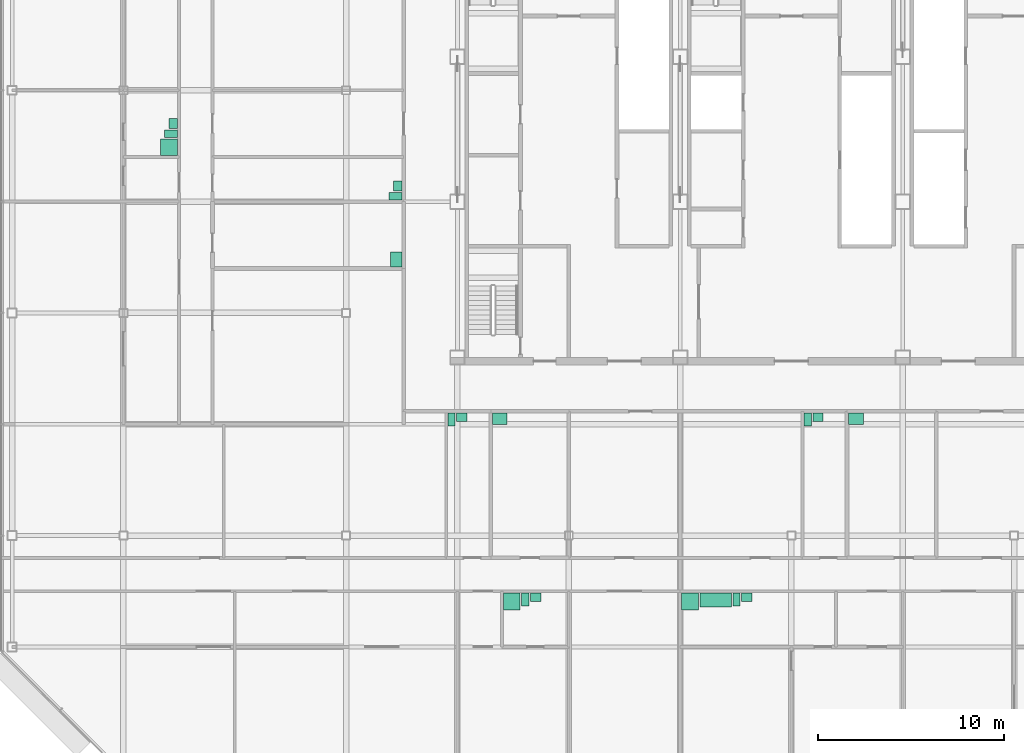
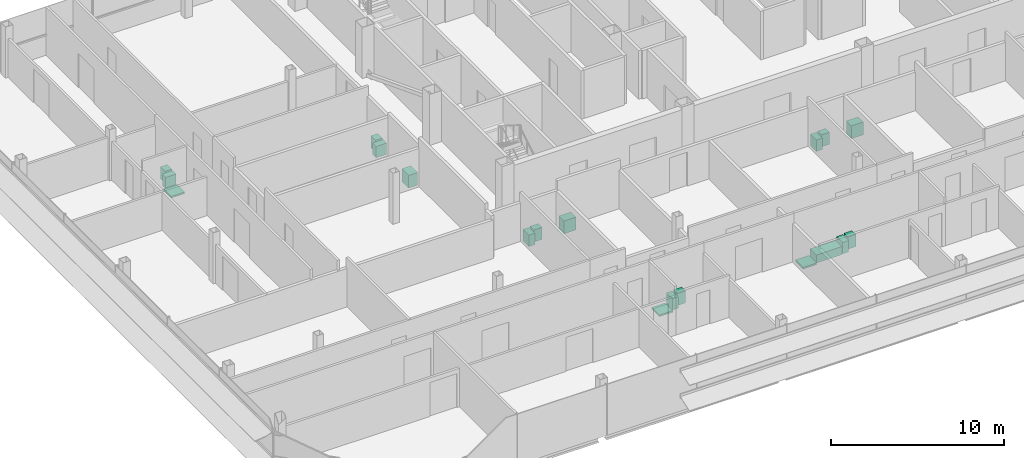
# One storey, part 27 of 27: 19 sanitary terminals.
"""IFC4 building model written with IfcOpenShell, lengths in metres."""

from ifc_helpers import new_model, si_unit, direction, frame, origin, origin_2d, place, context, subcontext, project, spatial, rectangle, extrude, element, save


model = new_model("IFC4")

# Units and contexts
model_context = context("Model", 3, precision=1e-05, world=origin(), true_north=direction((0.0, 1.0)))
body_context = subcontext(model_context, "Body", "Model", "MODEL_VIEW")
ifc_project = project(units=[si_unit("LENGTHUNIT", "METRE"), si_unit("AREAUNIT", "SQUARE_METRE"), si_unit("VOLUMEUNIT", "CUBIC_METRE"), si_unit("PLANEANGLEUNIT", "RADIAN"), si_unit("MASSUNIT", "GRAM", prefix="KILO")], contexts=[model_context])

# Site, building, storey
site_placement = place(None, origin())
site = spatial("IfcSite", under=ifc_project, at=site_placement, CompositionType="ELEMENT")
building_placement = place(site_placement, origin())
building = spatial("IfcBuilding", under=site, at=building_placement, Name="Sorahane Residences", CompositionType="ELEMENT")
storey_placement = place(building_placement, frame((0.0, 0.0, 323.199951171875)))
storey = spatial("IfcBuildingStorey", under=building, at=storey_placement, Name="L77", CompositionType="ELEMENT", Elevation=323.199951171875)

# Sanitary terminals
sanitary_terminal_1_placement = place(storey_placement, frame((8.929931640625, 8.449951171875, 0.0), z_axis=(0.0, 0.0, 1.0), x_axis=(1.0, 0.0, 0.0)))
element("IfcSanitaryTerminal", 1, at=sanitary_terminal_1_placement, inside=storey, Name="Shower tray En-suite bathroom 77A", PredefinedType="SHOWER", context=body_context, shape_type="SweptSolid", body=[
    extrude(rectangle(XDim=0.89990234375, YDim=0.89990234375, at=origin_2d()), origin(), (0.0, 0.0, 1.0), 0.1201171875),
])
sanitary_terminal_2_placement = place(storey_placement, frame((9.659912109375, 8.550048828125, 0.0), z_axis=(0.0, 0.0, 1.0), x_axis=(1.0, 0.0, 0.0)))
element("IfcSanitaryTerminal", 2, at=sanitary_terminal_2_placement, inside=storey, Name="WC pan En-suite bathroom 77A", PredefinedType="TOILETPAN", context=body_context, shape_type="SweptSolid", body=[
    extrude(rectangle(XDim=0.39990234375, YDim=0.699951171875, at=origin_2d()), origin(), (0.0, 0.0, 1.0), 0.800048828125),
])
sanitary_terminal_3_placement = place(storey_placement, frame((10.215087890625, 8.675048828125, 0.0), z_axis=(0.0, 0.0, 1.0), x_axis=(1.0, 0.0, 0.0)))
element("IfcSanitaryTerminal", 3, at=sanitary_terminal_3_placement, inside=storey, Name="Wash basin En-suite bathroom 77A", PredefinedType="WASHHANDBASIN", context=body_context, shape_type="SweptSolid", body=[
    extrude(rectangle(XDim=0.550048828125, YDim=0.449951171875, at=origin_2d()), origin(), (0.0, 0.0, 1.0), 0.85009765625),
])
sanitary_terminal_4_placement = place(storey_placement, frame((5.679931640625, 18.25, 0.0), z_axis=(0.0, 0.0, 1.0), x_axis=(1.0, 0.0, 0.0)))
element("IfcSanitaryTerminal", 4, at=sanitary_terminal_4_placement, inside=storey, Name="WC pan Powder room 77A", PredefinedType="TOILETPAN", context=body_context, shape_type="SweptSolid", body=[
    extrude(rectangle(XDim=0.39990234375, YDim=0.699951171875, at=origin_2d()), origin(), (0.0, 0.0, 1.0), 0.800048828125),
])
sanitary_terminal_5_placement = place(storey_placement, frame((6.235107421875, 18.375, 0.0), z_axis=(0.0, 0.0, 1.0), x_axis=(1.0, 0.0, 0.0)))
element("IfcSanitaryTerminal", 5, at=sanitary_terminal_5_placement, inside=storey, Name="Wash basin Powder room 77A", PredefinedType="WASHHANDBASIN", context=body_context, shape_type="SweptSolid", body=[
    extrude(rectangle(XDim=0.550048828125, YDim=0.449951171875, at=origin_2d()), origin(), (0.0, 0.0, 1.0), 0.85009765625),
])
sanitary_terminal_6_placement = place(storey_placement, frame((8.280029296875, 18.300048828125, 0.0), z_axis=(0.0, 0.0, 1.0), x_axis=(1.0, 0.0, 0.0)))
element("IfcSanitaryTerminal", 6, at=sanitary_terminal_6_placement, inside=storey, Name="Kitchen sink Kitchen 77A", PredefinedType="SINK", context=body_context, shape_type="SweptSolid", body=[
    extrude(rectangle(XDim=0.800048828125, YDim=0.60009765625, at=origin_2d()), origin(), (0.0, 0.0, 1.0), 0.89990234375),
])
sanitary_terminal_7_placement = place(storey_placement, frame((18.530029296875, 8.449951171875, 0.0), z_axis=(0.0, 0.0, 1.0), x_axis=(1.0, 0.0, 0.0)))
element("IfcSanitaryTerminal", 7, at=sanitary_terminal_7_placement, inside=storey, Name="Shower tray En-suite bathroom 77B", PredefinedType="SHOWER", context=body_context, shape_type="SweptSolid", body=[
    extrude(rectangle(XDim=0.89990234375, YDim=0.89990234375, at=origin_2d()), origin(), (0.0, 0.0, 1.0), 0.1201171875),
])
sanitary_terminal_8_placement = place(storey_placement, frame((19.909912109375, 8.52490234375, 0.0), z_axis=(0.0, 0.0, 1.0), x_axis=(1.0, 0.0, 0.0)))
element("IfcSanitaryTerminal", 8, at=sanitary_terminal_8_placement, inside=storey, Name="Bath En-suite bathroom 77B", PredefinedType="BATH", context=body_context, shape_type="SweptSolid", body=[
    extrude(rectangle(XDim=1.699951171875, YDim=0.75, at=origin_2d()), origin(), (0.0, 0.0, 1.0), 0.56005859375),
])
sanitary_terminal_9_placement = place(storey_placement, frame((21.0400390625, 8.550048828125, 0.0), z_axis=(0.0, 0.0, 1.0), x_axis=(1.0, 0.0, 0.0)))
element("IfcSanitaryTerminal", 9, at=sanitary_terminal_9_placement, inside=storey, Name="WC pan En-suite bathroom 77B", PredefinedType="TOILETPAN", context=body_context, shape_type="SweptSolid", body=[
    extrude(rectangle(XDim=0.39990234375, YDim=0.699951171875, at=origin_2d()), origin(), (0.0, 0.0, 1.0), 0.800048828125),
])
sanitary_terminal_10_placement = place(storey_placement, frame((21.594970703125, 8.675048828125, 0.0), z_axis=(0.0, 0.0, 1.0), x_axis=(1.0, 0.0, 0.0)))
element("IfcSanitaryTerminal", 10, at=sanitary_terminal_10_placement, inside=storey, Name="Wash basin En-suite bathroom 77B", PredefinedType="WASHHANDBASIN", context=body_context, shape_type="SweptSolid", body=[
    extrude(rectangle(XDim=0.550048828125, YDim=0.449951171875, at=origin_2d()), origin(), (0.0, 0.0, 1.0), 0.85009765625),
])
sanitary_terminal_11_placement = place(storey_placement, frame((24.8798828125, 18.25, 0.0), z_axis=(0.0, 0.0, 1.0), x_axis=(1.0, 0.0, 0.0)))
element("IfcSanitaryTerminal", 11, at=sanitary_terminal_11_placement, inside=storey, Name="WC pan Guest WC 77B", PredefinedType="TOILETPAN", context=body_context, shape_type="SweptSolid", body=[
    extrude(rectangle(XDim=0.39990234375, YDim=0.699951171875, at=origin_2d()), origin(), (0.0, 0.0, 1.0), 0.800048828125),
])
sanitary_terminal_12_placement = place(storey_placement, frame((25.43505859375, 18.375, 0.0), z_axis=(0.0, 0.0, 1.0), x_axis=(1.0, 0.0, 0.0)))
element("IfcSanitaryTerminal", 12, at=sanitary_terminal_12_placement, inside=storey, Name="Wash basin Guest WC 77B", PredefinedType="WASHHANDBASIN", context=body_context, shape_type="SweptSolid", body=[
    extrude(rectangle(XDim=0.550048828125, YDim=0.449951171875, at=origin_2d()), origin(), (0.0, 0.0, 1.0), 0.85009765625),
])
sanitary_terminal_13_placement = place(storey_placement, frame((27.47998046875, 18.300048828125, 0.0), z_axis=(0.0, 0.0, 1.0), x_axis=(1.0, 0.0, 0.0)))
element("IfcSanitaryTerminal", 13, at=sanitary_terminal_13_placement, inside=storey, Name="Kitchen sink Kitchen 77B", PredefinedType="SINK", context=body_context, shape_type="SweptSolid", body=[
    extrude(rectangle(XDim=0.800048828125, YDim=0.60009765625, at=origin_2d()), origin(), (0.0, 0.0, 1.0), 0.89990234375),
])
sanitary_terminal_14_placement = place(storey_placement, frame((-9.550048828125, 32.929931640625, 0.0), z_axis=(0.0, 0.0, 1.0), x_axis=(0.0, -1.0, 0.0)))
element("IfcSanitaryTerminal", 14, at=sanitary_terminal_14_placement, inside=storey, Name="Shower tray En-suite bathroom 77C", PredefinedType="SHOWER", context=body_context, shape_type="SweptSolid", body=[
    extrude(rectangle(XDim=0.89990234375, YDim=0.89990234375, at=origin_2d()), origin(), (0.0, 0.0, 1.0), 0.1201171875),
])
sanitary_terminal_15_placement = place(storey_placement, frame((-9.449951171875, 33.659912109375, 0.0), z_axis=(0.0, 0.0, 1.0), x_axis=(0.0, -1.0, 0.0)))
element("IfcSanitaryTerminal", 15, at=sanitary_terminal_15_placement, inside=storey, Name="WC pan En-suite bathroom 77C", PredefinedType="TOILETPAN", context=body_context, shape_type="SweptSolid", body=[
    extrude(rectangle(XDim=0.39990234375, YDim=0.699951171875, at=origin_2d()), origin(), (0.0, 0.0, 1.0), 0.800048828125),
])
sanitary_terminal_16_placement = place(storey_placement, frame((-9.324951171875, 34.215087890625, 0.0), z_axis=(0.0, 0.0, 1.0), x_axis=(0.0, -1.0, 0.0)))
element("IfcSanitaryTerminal", 16, at=sanitary_terminal_16_placement, inside=storey, Name="Wash basin En-suite bathroom 77C", PredefinedType="WASHHANDBASIN", context=body_context, shape_type="SweptSolid", body=[
    extrude(rectangle(XDim=0.550048828125, YDim=0.449951171875, at=origin_2d()), origin(), (0.0, 0.0, 1.0), 0.85009765625),
])
sanitary_terminal_17_placement = place(storey_placement, frame((2.699951171875, 26.8798828125, 0.0), z_axis=(0.0, 0.0, 1.0), x_axis=(0.0, -1.0, 0.0)))
element("IfcSanitaryTerminal", 17, at=sanitary_terminal_17_placement, inside=storey, Name="Kitchen sink Kitchen 77C", PredefinedType="SINK", context=body_context, shape_type="SweptSolid", body=[
    extrude(rectangle(XDim=0.800048828125, YDim=0.60009765625, at=origin_2d()), origin(), (0.0, 0.0, 1.0), 0.89990234375),
])
sanitary_terminal_18_placement = place(storey_placement, frame((2.64990234375, 30.280029296875, 0.0), z_axis=(0.0, 0.0, 1.0), x_axis=(0.0, -1.0, 0.0)))
element("IfcSanitaryTerminal", 18, at=sanitary_terminal_18_placement, inside=storey, Name="WC pan Powder room 77C", PredefinedType="TOILETPAN", context=body_context, shape_type="SweptSolid", body=[
    extrude(rectangle(XDim=0.39990234375, YDim=0.699951171875, at=origin_2d()), origin(), (0.0, 0.0, 1.0), 0.800048828125),
])
sanitary_terminal_19_placement = place(storey_placement, frame((2.77490234375, 30.8349609375, 0.0), z_axis=(0.0, 0.0, 1.0), x_axis=(0.0, -1.0, 0.0)))
element("IfcSanitaryTerminal", 19, at=sanitary_terminal_19_placement, inside=storey, Name="Wash basin Powder room 77C", PredefinedType="WASHHANDBASIN", context=body_context, shape_type="SweptSolid", body=[
    extrude(rectangle(XDim=0.550048828125, YDim=0.449951171875, at=origin_2d()), origin(), (0.0, 0.0, 1.0), 0.85009765625),
])

save(model, "model.ifc")
